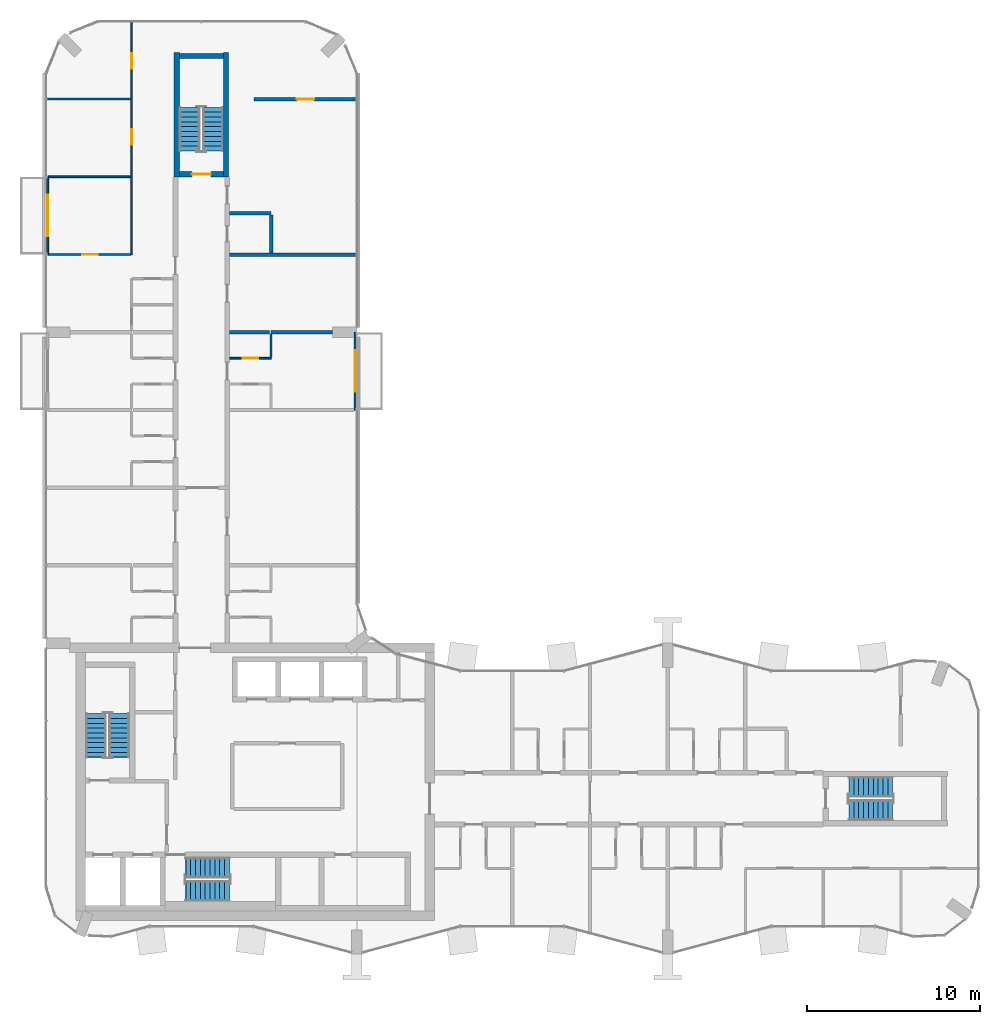
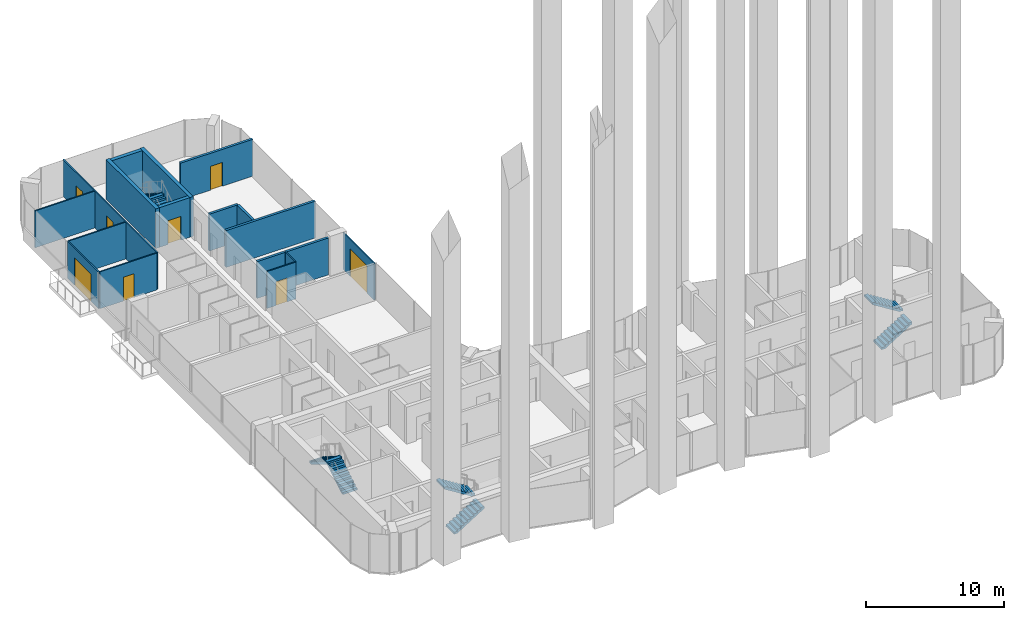
# One storey, part 13 of 17: 18 walls, 8 doors, 8 stair flights, 8 openings, 4 elements without a shape of their own.
"""IFC4 building model written with IfcOpenShell, lengths in metres."""

from ifc_helpers import new_model, si_unit, direction, frame, frame_2d, origin, place, context, subcontext, project, spatial, polyline, rectangle, outline, extrude, material, layer, layer_set, type_object, element, fill, aggregate, save


model = new_model("IFC4")

# Units and contexts
model_context = context("Model", 3, precision=1e-05, world=origin(), true_north=direction((0.0, 1.0)))
body_context = subcontext(model_context, "Body", "Model", "MODEL_VIEW")
ifc_project = project(units=[si_unit("LENGTHUNIT", "METRE"), si_unit("AREAUNIT", "SQUARE_METRE"), si_unit("VOLUMEUNIT", "CUBIC_METRE"), si_unit("PLANEANGLEUNIT", "RADIAN"), si_unit("MASSUNIT", "GRAM", prefix="KILO")], contexts=[model_context])

# Site, building, storey
site_placement = place(None, origin())
site = spatial("IfcSite", under=ifc_project, at=site_placement, CompositionType="ELEMENT")
building_placement = place(site_placement, origin())
building = spatial("IfcBuilding", under=site, at=building_placement, Name="Plateau Cross Towers", CompositionType="ELEMENT")
storey_placement = place(building_placement, frame((0.0, 0.0, 190.89990234375)))
storey = spatial("IfcBuildingStorey", under=building, at=storey_placement, Name="L49", CompositionType="ELEMENT", Elevation=190.89990234375)

# Wall, opening, door
ifc_material_1 = material(Name="Aluminium framed glazing", Category="aluminium")
ifc_layer_1 = layer(ifc_material_1, 0.10009765625)
ifc_layer_set_1 = layer_set([ifc_layer_1], Name="Aluminium framed glazing")
wall_type_1 = type_object("IfcWallType", Name="Balcony screen wall 100", PredefinedType="STANDARD", material=ifc_layer_set_1)
wall_1_placement = place(storey_placement, frame((0.10009765625, 40.5, 0.0), z_axis=(0.0, 0.0, 1.0), x_axis=(0.0, 1.0, 0.0)))
wall_1 = element("IfcWall", 1, at=wall_1_placement, inside=storey, type_object=wall_type_1, Name="Balcony screen wall A-BAL-L49-02", PredefinedType="STANDARD", context=body_context, shape_type="SweptSolid", body=[
    extrude(rectangle(XDim=4.5, YDim=0.10009765625, at=frame_2d((2.25, 0.0))), origin(), (0.0, 0.0, 1.0), 3.25),
])
opening_1_placement = place(wall_1_placement, frame((1.050048828125, 0.0, 0.0)))
opening_1 = element("IfcOpeningElement", 2, at=opening_1_placement, cuts=wall_1, Name="Opening D-B24", PredefinedType="OPENING", context=body_context, shape_type="SweptSolid", body=[
    extrude(rectangle(XDim=2.39990234375, YDim=2.39990234375, at=frame_2d((1.199951171875, 1.199951171875))), frame((0.0, 0.06005859375, 0.0), z_axis=(0.0, -1.0, 0.0), x_axis=(1.0, 0.0, 0.0)), (0.0, 0.0, 1.0), 0.1201171875),
])
ifc_material_2 = material(Name="Aluminium frame, double glazing", Category="aluminium")
door_type_1 = type_object("IfcDoorType", Name="Balcony sliding door 2400", OperationType="NOTDEFINED", PredefinedType="DOOR", material=ifc_material_2)
door_1_placement = place(opening_1_placement, origin())
door_1 = element("IfcDoor", 3, at=door_1_placement, inside=storey, type_object=door_type_1, Name="Balcony door A-BAL-L49-02", OperationType="SINGLE_SWING_LEFT", OverallHeight=2.39990234375, OverallWidth=2.39990234375, PredefinedType="DOOR", context=body_context, shape_type="SweptSolid", body=[
    extrude(rectangle(XDim=2.39990234375, YDim=2.39990234375, at=frame_2d((1.199951171875, 1.199951171875))), frame((0.0, 0.02490234375, 0.0), z_axis=(0.0, -1.0, 0.0), x_axis=(1.0, 0.0, 0.0)), (0.0, 0.0, 1.0), 0.050048828125),
])
fill(opening_1, door_1)

wall_2_placement = place(storey_placement, frame((17.89990234375, 36.0, 0.0), z_axis=(0.0, 0.0, 1.0), x_axis=(0.0, -1.0, 0.0)))
wall_2 = element("IfcWall", 4, at=wall_2_placement, inside=storey, type_object=wall_type_1, Name="Balcony screen wall A-BAL-L49-03", PredefinedType="STANDARD", context=body_context, shape_type="SweptSolid", body=[
    extrude(rectangle(XDim=4.5, YDim=0.10009765625, at=frame_2d((2.25, 0.0))), origin(), (0.0, 0.0, 1.0), 3.25),
])
opening_2_placement = place(wall_2_placement, frame((1.050048828125, 0.0, 0.0)))
opening_2 = element("IfcOpeningElement", 5, at=opening_2_placement, cuts=wall_2, Name="Opening D-B24", PredefinedType="OPENING", context=body_context, shape_type="SweptSolid", body=[
    extrude(rectangle(XDim=2.39990234375, YDim=2.39990234375, at=frame_2d((1.199951171875, 1.199951171875))), frame((0.0, 0.06005859375, 0.0), z_axis=(0.0, -1.0, 0.0), x_axis=(1.0, 0.0, 0.0)), (0.0, 0.0, 1.0), 0.1201171875),
])
door_2_placement = place(opening_2_placement, origin())
door_2 = element("IfcDoor", 6, at=door_2_placement, inside=storey, type_object=door_type_1, Name="Balcony door A-BAL-L49-03", OperationType="SINGLE_SWING_LEFT", OverallHeight=2.39990234375, OverallWidth=2.39990234375, PredefinedType="DOOR", context=body_context, shape_type="SweptSolid", body=[
    extrude(rectangle(XDim=2.39990234375, YDim=2.39990234375, at=frame_2d((1.199951171875, 1.199951171875))), frame((0.0, 0.02490234375, 0.0), z_axis=(0.0, -1.0, 0.0), x_axis=(1.0, 0.0, 0.0)), (0.0, 0.0, 1.0), 0.050048828125),
])
fill(opening_2, door_2)

ifc_material_3 = material(Name="Gypsum board on steel studs", Category="steel")
ifc_layer_2 = layer(ifc_material_3, 0.10009765625)
ifc_layer_set_2 = layer_set([ifc_layer_2], Name="Gypsum board on steel studs")
wall_type_2 = type_object("IfcWallType", Name="Flat partition 100", PredefinedType="PARTITIONING", material=ifc_layer_set_2)
wall_3_placement = place(storey_placement, frame((10.637451171875, 34.5, 0.0), z_axis=(0.0, 0.0, 1.0), x_axis=(1.0, 0.0, 0.0)))
wall_3 = element("IfcWall", 7, at=wall_3_placement, inside=storey, type_object=wall_type_2, Name="Partition wall", PredefinedType="PARTITIONING", context=body_context, shape_type="SweptSolid", body=[
    extrude(rectangle(XDim=2.400146484375, YDim=0.10009765625, at=frame_2d((1.2001953125, 0.0))), origin(), (0.0, 0.0, 1.0), 3.25),
])
opening_3_placement = place(wall_3_placement, frame((0.75, 0.0, 0.0)))
opening_3 = element("IfcOpeningElement", 8, at=opening_3_placement, cuts=wall_3, Name="Opening 49-53", PredefinedType="OPENING", context=body_context, shape_type="SweptSolid", body=[
    extrude(rectangle(XDim=0.89990234375, YDim=2.10009765625, at=frame_2d((0.449951171875, 1.050048828125))), frame((0.0, 0.06005859375, 0.0), z_axis=(0.0, -1.0, 0.0), x_axis=(1.0, 0.0, 0.0)), (0.0, 0.0, 1.0), 0.1201171875),
])
ifc_material_4 = material(Name="Timber leaf", Category="wood")
door_type_2 = type_object("IfcDoorType", Name="Flat room door 900", OperationType="NOTDEFINED", PredefinedType="DOOR", material=ifc_material_4)
door_3_placement = place(opening_3_placement, origin())
door_3 = element("IfcDoor", 9, at=door_3_placement, inside=storey, type_object=door_type_2, Name="Door 49-53", OperationType="SINGLE_SWING_LEFT", OverallHeight=2.10009765625, OverallWidth=0.89990234375, PredefinedType="DOOR", context=body_context, shape_type="SweptSolid", body=[
    extrude(rectangle(XDim=0.89990234375, YDim=2.10009765625, at=frame_2d((0.449951171875, 1.050048828125))), frame((0.0, 0.02490234375, 0.0), z_axis=(0.0, -1.0, 0.0), x_axis=(1.0, 0.0, 0.0)), (0.0, 0.0, 1.0), 0.050048828125),
])
fill(opening_3, door_3)

wall_4_placement = place(storey_placement, frame((0.14990234375, 40.5, 0.0), z_axis=(0.0, 0.0, 1.0), x_axis=(1.0, 0.0, 0.0)))
wall_4 = element("IfcWall", 10, at=wall_4_placement, inside=storey, type_object=wall_type_2, Name="Partition wall", PredefinedType="PARTITIONING", context=body_context, shape_type="SweptSolid", body=[
    extrude(rectangle(XDim=4.7626953125, YDim=0.10009765625, at=frame_2d((2.38134765625, 0.0))), origin(), (0.0, 0.0, 1.0), 3.25),
])
opening_4_placement = place(wall_4_placement, frame((1.949951171875, 0.0, 0.0)))
opening_4 = element("IfcOpeningElement", 11, at=opening_4_placement, cuts=wall_4, Name="Opening 49-47", PredefinedType="OPENING", context=body_context, shape_type="SweptSolid", body=[
    extrude(rectangle(XDim=0.89990234375, YDim=2.10009765625, at=frame_2d((0.449951171875, 1.050048828125))), frame((0.0, 0.06005859375, 0.0), z_axis=(0.0, -1.0, 0.0), x_axis=(1.0, 0.0, 0.0)), (0.0, 0.0, 1.0), 0.1201171875),
])
door_4_placement = place(opening_4_placement, origin())
door_4 = element("IfcDoor", 12, at=door_4_placement, inside=storey, type_object=door_type_2, Name="Door 49-47", OperationType="SINGLE_SWING_RIGHT", OverallHeight=2.10009765625, OverallWidth=0.89990234375, PredefinedType="DOOR", context=body_context, shape_type="SweptSolid", body=[
    extrude(rectangle(XDim=0.89990234375, YDim=2.10009765625, at=frame_2d((0.449951171875, 1.050048828125))), frame((0.0, 0.02490234375, 0.0), z_axis=(0.0, -1.0, 0.0), x_axis=(1.0, 0.0, 0.0)), (0.0, 0.0, 1.0), 0.050048828125),
])
fill(opening_4, door_4)

# Walls
wall_5_placement = place(storey_placement, frame((4.91259765625, 45.0, 0.0), z_axis=(0.0, 0.0, 1.0), x_axis=(-1.0, 0.0, 0.0)))
element("IfcWall", 13, at=wall_5_placement, inside=storey, type_object=wall_type_2, Name="Partition wall", PredefinedType="PARTITIONING", context=body_context, shape_type="SweptSolid", body=[
    extrude(rectangle(XDim=4.7626953125, YDim=0.10009765625, at=frame_2d((2.38134765625, 0.0))), origin(), (0.0, 0.0, 1.0), 3.25),
])
wall_6_placement = place(storey_placement, frame((4.91259765625, 49.5, 0.0), z_axis=(0.0, 0.0, 1.0), x_axis=(-1.0, 0.0, 0.0)))
element("IfcWall", 14, at=wall_6_placement, inside=storey, type_object=wall_type_2, Name="Partition wall", PredefinedType="PARTITIONING", context=body_context, shape_type="SweptSolid", body=[
    extrude(rectangle(XDim=4.99267578125, YDim=0.10009765625, at=frame_2d((2.496337890625, 0.0))), origin(), (0.0, 0.0, 1.0), 3.25),
])

# Wall, openings, doors
wall_7_placement = place(storey_placement, frame((4.96240234375, 40.5, 0.0), z_axis=(0.0, 0.0, 1.0), x_axis=(0.0, 1.0, 0.0)))
wall_7 = element("IfcWall", 15, at=wall_7_placement, inside=storey, type_object=wall_type_2, Name="Partition wall", PredefinedType="PARTITIONING", context=body_context, shape_type="SweptSolid", body=[
    extrude(rectangle(XDim=13.580078125, YDim=0.10009765625, at=frame_2d((6.7900390625, 0.0))), origin(), (0.0, 0.0, 1.0), 3.25),
])
opening_5_placement = place(wall_7_placement, frame((6.35009765625, 0.0, 0.0)))
opening_5 = element("IfcOpeningElement", 16, at=opening_5_placement, cuts=wall_7, Name="Opening 49-48", PredefinedType="OPENING", context=body_context, shape_type="SweptSolid", body=[
    extrude(rectangle(XDim=0.89990234375, YDim=2.10009765625, at=frame_2d((0.449951171875, 1.050048828125))), frame((0.0, 0.06005859375, 0.0), z_axis=(0.0, -1.0, 0.0), x_axis=(1.0, 0.0, 0.0)), (0.0, 0.0, 1.0), 0.1201171875),
])
opening_6_placement = place(wall_7_placement, frame((10.75, 0.0, 0.0)))
opening_6 = element("IfcOpeningElement", 17, at=opening_6_placement, cuts=wall_7, Name="Opening 49-49", PredefinedType="OPENING", context=body_context, shape_type="SweptSolid", body=[
    extrude(rectangle(XDim=0.89990234375, YDim=2.10009765625, at=frame_2d((0.449951171875, 1.050048828125))), frame((0.0, 0.06005859375, 0.0), z_axis=(0.0, -1.0, 0.0), x_axis=(1.0, 0.0, 0.0)), (0.0, 0.0, 1.0), 0.1201171875),
])
door_5_placement = place(opening_5_placement, origin())
door_5 = element("IfcDoor", 18, at=door_5_placement, inside=storey, type_object=door_type_2, Name="Door 49-48", OperationType="SINGLE_SWING_RIGHT", OverallHeight=2.10009765625, OverallWidth=0.89990234375, PredefinedType="DOOR", context=body_context, shape_type="SweptSolid", body=[
    extrude(rectangle(XDim=0.89990234375, YDim=2.10009765625, at=frame_2d((0.449951171875, 1.050048828125))), frame((0.0, 0.02490234375, 0.0), z_axis=(0.0, -1.0, 0.0), x_axis=(1.0, 0.0, 0.0)), (0.0, 0.0, 1.0), 0.050048828125),
])
fill(opening_5, door_5)
door_6_placement = place(opening_6_placement, origin())
door_6 = element("IfcDoor", 19, at=door_6_placement, inside=storey, type_object=door_type_2, Name="Door 49-49", OperationType="SINGLE_SWING_RIGHT", OverallHeight=2.10009765625, OverallWidth=0.89990234375, PredefinedType="DOOR", context=body_context, shape_type="SweptSolid", body=[
    extrude(rectangle(XDim=0.89990234375, YDim=2.10009765625, at=frame_2d((0.449951171875, 1.050048828125))), frame((0.0, 0.02490234375, 0.0), z_axis=(0.0, -1.0, 0.0), x_axis=(1.0, 0.0, 0.0)), (0.0, 0.0, 1.0), 0.050048828125),
])
fill(opening_6, door_6)

# Walls
wall_8_placement = place(storey_placement, frame((13.03759765625, 34.550048828125, 0.0), z_axis=(0.0, 0.0, 1.0), x_axis=(0.0, 1.0, 0.0)))
element("IfcWall", 20, at=wall_8_placement, inside=storey, type_object=wall_type_2, Name="Partition wall", PredefinedType="PARTITIONING", context=body_context, shape_type="SweptSolid", body=[
    extrude(rectangle(XDim=1.349853515625, YDim=0.10009765625, at=frame_2d((0.6748046875, 0.0))), origin(), (0.0, 0.0, 1.0), 3.25),
])
ifc_material_5 = material(Name="Gypsum board on steel studs, two layers each side", Category="steel")
ifc_layer_3 = layer(ifc_material_5, 0.199951171875)
ifc_layer_set_3 = layer_set([ifc_layer_3], Name="Gypsum board on steel studs, two layers each side")
wall_type_3 = type_object("IfcWallType", Name="Flat party wall 200", PredefinedType="PARTITIONING", material=ifc_layer_set_3)
wall_9_placement = place(storey_placement, frame((12.9375, 36.0, 0.0), z_axis=(0.0, 0.0, 1.0), x_axis=(-1.0, 0.0, 0.0)))
element("IfcWall", 21, at=wall_9_placement, inside=storey, type_object=wall_type_3, Name="Party wall", PredefinedType="PARTITIONING", context=body_context, shape_type="SweptSolid", body=[
    extrude(rectangle(XDim=2.300048828125, YDim=0.199951171875, at=frame_2d((1.14990234375, 0.0))), origin(), (0.0, 0.0, 1.0), 3.25),
])
wall_10_placement = place(storey_placement, frame((13.03759765625, 36.0, 0.0), z_axis=(0.0, 0.0, 1.0), x_axis=(1.0, 0.0, 0.0)))
element("IfcWall", 22, at=wall_10_placement, inside=storey, type_object=wall_type_3, Name="Party wall", PredefinedType="PARTITIONING", context=body_context, shape_type="SweptSolid", body=[
    extrude(rectangle(XDim=3.5625, YDim=0.199951171875, at=frame_2d((1.78125, 0.0))), origin(), (0.0, 0.0, 1.0), 3.25),
])
wall_11_placement = place(storey_placement, frame((18.080078125, 40.5, 0.0), z_axis=(0.0, 0.0, 1.0), x_axis=(-1.0, 0.0, 0.0)))
element("IfcWall", 23, at=wall_11_placement, inside=storey, type_object=wall_type_3, Name="Party wall", PredefinedType="PARTITIONING", context=body_context, shape_type="SweptSolid", body=[
    extrude(rectangle(XDim=7.442626953125, YDim=0.199951171875, at=frame_2d((3.72119140625, 0.0))), origin(), (0.0, 0.0, 1.0), 3.25),
])
wall_12_placement = place(storey_placement, frame((13.03759765625, 42.89990234375, 0.0), z_axis=(0.0, 0.0, 1.0), x_axis=(-1.0, 0.0, 0.0)))
element("IfcWall", 24, at=wall_12_placement, inside=storey, type_object=wall_type_3, Name="Party wall", PredefinedType="PARTITIONING", context=body_context, shape_type="SweptSolid", body=[
    extrude(rectangle(XDim=2.400146484375, YDim=0.199951171875, at=frame_2d((1.2001953125, 0.0))), origin(), (0.0, 0.0, 1.0), 3.25),
])

# Wall, opening, door
wall_13_placement = place(storey_placement, frame((18.080078125, 49.5, 0.0), z_axis=(0.0, 0.0, 1.0), x_axis=(-1.0, 0.0, 0.0)))
wall_13 = element("IfcWall", 25, at=wall_13_placement, inside=storey, type_object=wall_type_3, Name="Party wall", PredefinedType="PARTITIONING", context=body_context, shape_type="SweptSolid", body=[
    extrude(rectangle(XDim=6.030029296875, YDim=0.199951171875, at=frame_2d((3.01513671875, 0.0))), origin(), (0.0, 0.0, 1.0), 3.25),
])
opening_7_placement = place(wall_13_placement, frame((2.550048828125, 0.0, 0.0)))
opening_7 = element("IfcOpeningElement", 26, at=opening_7_placement, cuts=wall_13, Name="Opening 49-25", PredefinedType="OPENING", context=body_context, shape_type="SweptSolid", body=[
    extrude(rectangle(XDim=1.0, YDim=2.10009765625, at=frame_2d((0.5, 1.050048828125))), frame((0.0, 0.10986328125, 0.0), z_axis=(0.0, -1.0, 0.0), x_axis=(1.0, 0.0, 0.0)), (0.0, 0.0, 1.0), 0.219970703125),
])
ifc_material_6 = material(Name="Timber, fire-resisting leaf", Category="wood")
door_type_3 = type_object("IfcDoorType", Name="Flat entrance door 1000", OperationType="NOTDEFINED", PredefinedType="DOOR", material=ifc_material_6)
door_7_placement = place(opening_7_placement, origin())
door_7 = element("IfcDoor", 27, at=door_7_placement, inside=storey, type_object=door_type_3, Name="Door 49-25", OperationType="SINGLE_SWING_RIGHT", OverallHeight=2.10009765625, OverallWidth=1.0, PredefinedType="DOOR", context=body_context, shape_type="SweptSolid", body=[
    extrude(rectangle(XDim=1.0, YDim=2.10009765625, at=frame_2d((0.5, 1.050048828125))), frame((0.0, 0.02490234375, 0.0), z_axis=(0.0, -1.0, 0.0), x_axis=(1.0, 0.0, 0.0)), (0.0, 0.0, 1.0), 0.050048828125),
])
fill(opening_7, door_7)

# Wall
wall_14_placement = place(storey_placement, frame((13.03759765625, 40.60009765625, 0.0), z_axis=(0.0, 0.0, 1.0), x_axis=(0.0, 1.0, 0.0)))
element("IfcWall", 28, at=wall_14_placement, inside=storey, type_object=wall_type_3, Name="Party wall", PredefinedType="PARTITIONING", context=body_context, shape_type="SweptSolid", body=[
    extrude(rectangle(XDim=2.199951171875, YDim=0.199951171875, at=frame_2d((1.10009765625, 0.0))), origin(), (0.0, 0.0, 1.0), 3.25),
])

# Wall, opening, door
ifc_material_7 = material(Name="Concrete C60/75", Category="concrete")
ifc_layer_4 = layer(ifc_material_7, 0.300048828125)
ifc_layer_set_4 = layer_set([ifc_layer_4], Name="Concrete C60/75")
wall_type_4 = type_object("IfcWallType", Name="Stair tower wall 300", PredefinedType="SHEAR", material=ifc_layer_set_4)
wall_15_placement = place(storey_placement, frame((7.72509765625, 45.14990234375, 0.0), z_axis=(0.0, 0.0, 1.0), x_axis=(1.0, 0.0, 0.0)))
wall_15 = element("IfcWall", 29, at=wall_15_placement, inside=storey, type_object=wall_type_4, Name="A-end-N-S@L49", PredefinedType="SHEAR", context=body_context, shape_type="SweptSolid", body=[
    extrude(rectangle(XDim=2.5498046875, YDim=0.300048828125, at=frame_2d((1.27490234375, 0.0))), origin(), (0.0, 0.0, 1.0), 3.5),
])
opening_8_placement = place(wall_15_placement, frame((0.72509765625, 0.0, 0.0)))
opening_8 = element("IfcOpeningElement", 30, at=opening_8_placement, cuts=wall_15, Name="Opening SD", PredefinedType="OPENING", context=body_context, shape_type="SweptSolid", body=[
    extrude(rectangle(XDim=1.10009765625, YDim=2.10009765625, at=frame_2d((0.550048828125, 1.050048828125))), frame((0.0, 0.159912109375, 0.0), z_axis=(0.0, -1.0, 0.0), x_axis=(1.0, 0.0, 0.0)), (0.0, 0.0, 1.0), 0.320068359375),
])
ifc_material_8 = material(Name="Steel, fire-resisting leaf", Category="steel")
door_type_4 = type_object("IfcDoorType", Name="Stair door 1100", OperationType="NOTDEFINED", PredefinedType="DOOR", material=ifc_material_8)
door_8_placement = place(opening_8_placement, origin())
door_8 = element("IfcDoor", 31, at=door_8_placement, inside=storey, type_object=door_type_4, Name="Stair door SD", OperationType="SINGLE_SWING_LEFT", OverallHeight=2.10009765625, OverallWidth=1.10009765625, PredefinedType="DOOR", context=body_context, shape_type="SweptSolid", body=[
    extrude(rectangle(XDim=1.10009765625, YDim=2.10009765625, at=frame_2d((0.550048828125, 1.050048828125))), frame((0.0, 0.02490234375, 0.0), z_axis=(0.0, -1.0, 0.0), x_axis=(1.0, 0.0, 0.0)), (0.0, 0.0, 1.0), 0.050048828125),
])
fill(opening_8, door_8)

# Walls
wall_16_placement = place(storey_placement, frame((7.72509765625, 52.0, 0.0), z_axis=(0.0, 0.0, 1.0), x_axis=(1.0, 0.0, 0.0)))
element("IfcWall", 32, at=wall_16_placement, inside=storey, type_object=wall_type_4, Name="A-end-N-N@L49", PredefinedType="SHEAR", context=body_context, shape_type="SweptSolid", body=[
    extrude(rectangle(XDim=2.5498046875, YDim=0.300048828125, at=frame_2d((1.27490234375, 0.0))), origin(), (0.0, 0.0, 1.0), 3.5),
])
for number, where, z_axis, x_axis, name in (
    (33, (7.574951171875, 45.0, 0.0), (0.0, 0.0, 1.0), (0.0, 1.0, 0.0), "A-end-N-W@L49"),
    (34, (10.425048828125, 45.0, 0.0), (0.0, 0.0, 1.0), (0.0, 1.0, 0.0), "A-end-N-E@L49"),
):
    element("IfcWall", number, at=place(storey_placement, frame(where, z_axis=z_axis, x_axis=x_axis)), inside=storey, type_object=wall_type_4, Name=name, PredefinedType="SHEAR", context=body_context, shape_type="SweptSolid", body=[
        extrude(rectangle(XDim=7.199951171875, YDim=0.300048828125, at=frame_2d((3.60009765625, 0.0))), origin(), (0.0, 0.0, 1.0), 3.5),
    ])

# Stair, stair flights
ifc_material_9 = material(Name="Concrete C40/50", Category="concrete")
stair_type = type_object("IfcStairType", Name="ST-TWR", PredefinedType="HALF_TURN_STAIR", material=ifc_material_9)
stair_1_placement = place(storey_placement, origin())
stair_1 = element("IfcStair", 35, at=stair_1_placement, inside=storey, type_object=stair_type, Name="L49 Protected Exit Stair ST-1", PredefinedType="HALF_TURN_STAIR")
stair_flight_type = type_object("IfcStairFlightType", Name="SFL-RC", PredefinedType="STRAIGHT", material=ifc_material_9)
stair_flight_1_placement = place(storey_placement, frame((4.25, 11.39990234375, 0.0), z_axis=(0.0, 0.0, 1.0), x_axis=(0.0, 1.0, 0.0)))
stair_flight_1 = element("IfcStairFlight", 36, at=stair_flight_1_placement, type_object=stair_flight_type, Name="ST-1 flight 1", NumberOfRisers=10, NumberOfTreads=9, PredefinedType="STRAIGHT", RiserHeight=0.175, TreadLength=0.28, context=body_context, shape_type="SweptSolid", body=[
    extrude(outline(polyline([(-0.0048828125, -0.010009765625), (-0.0048828125, 0.0), (0.0, 0.0), (0.0, 0.175048828125), (0.280029296875, 0.175048828125), (0.280029296875, 0.35009765625), (0.56005859375, 0.35009765625), (0.56005859375, 0.52490234375), (0.840087890625, 0.52490234375), (0.840087890625, 0.699951171875), (1.1201171875, 0.699951171875), (1.1201171875, 0.875), (1.39990234375, 0.875), (1.39990234375, 1.050048828125), (1.679931640625, 1.050048828125), (1.679931640625, 1.22509765625), (1.9599609375, 1.22509765625), (1.9599609375, 1.39990234375), (2.239990234375, 1.39990234375), (2.239990234375, 1.574951171875), (2.52001953125, 1.574951171875), (2.52490234375, 1.56494140625), (2.52490234375, 1.398193359375), (2.52001953125, 1.398193359375), (0.28271484375, 0.0), (0.02001953125, 0.0), (0.02001953125, -0.010009765625), (-0.0048828125, -0.010009765625)])), frame((0.0, 0.60009765625, 0.0), z_axis=(0.0, -1.0, 0.0), x_axis=(1.0, 0.0, 0.0)), (0.0, 0.0, 1.0), 1.199951171875),
])
stair_flight_2_placement = place(storey_placement, frame((2.89990234375, 13.919921875, 1.75), z_axis=(0.0, 0.0, 1.0), x_axis=(0.0, -1.0, 0.0)))
stair_flight_2 = element("IfcStairFlight", 37, at=stair_flight_2_placement, type_object=stair_flight_type, Name="ST-1 flight 2", NumberOfRisers=10, NumberOfTreads=9, PredefinedType="STRAIGHT", RiserHeight=0.175, TreadLength=0.28, context=body_context, shape_type="SweptSolid", body=[
    extrude(outline(polyline([(-0.0048828125, -0.010009765625), (-0.0048828125, 0.0), (0.0, 0.0), (0.0, 0.175048828125), (0.280029296875, 0.175048828125), (0.280029296875, 0.35009765625), (0.56005859375, 0.35009765625), (0.56005859375, 0.52490234375), (0.840087890625, 0.52490234375), (0.840087890625, 0.699951171875), (1.1201171875, 0.699951171875), (1.1201171875, 0.875), (1.39990234375, 0.875), (1.39990234375, 1.050048828125), (1.679931640625, 1.050048828125), (1.679931640625, 1.22509765625), (1.9599609375, 1.22509765625), (1.9599609375, 1.39990234375), (2.239990234375, 1.39990234375), (2.239990234375, 1.574951171875), (2.52001953125, 1.574951171875), (2.52490234375, 1.56494140625), (2.52490234375, 1.398193359375), (2.52001953125, 1.398193359375), (0.28271484375, 0.0), (0.02001953125, 0.0), (0.02001953125, -0.010009765625), (-0.0048828125, -0.010009765625)])), frame((0.0, 0.60009765625, 0.0), z_axis=(0.0, -1.0, 0.0), x_axis=(1.0, 0.0, 0.0)), (0.0, 0.0, 1.0), 1.199951171875),
])
aggregate(stair_1, [stair_flight_1, stair_flight_2])

stair_2_placement = place(storey_placement, origin())
stair_2 = element("IfcStair", 38, at=stair_2_placement, inside=storey, type_object=stair_type, Name="L49 Protected Exit Stair ST-2", PredefinedType="HALF_TURN_STAIR")
stair_flight_3_placement = place(storey_placement, frame((8.10009765625, 3.64990234375, 0.0), z_axis=(0.0, 0.0, 1.0), x_axis=(1.0, 0.0, 0.0)))
stair_flight_3 = element("IfcStairFlight", 39, at=stair_flight_3_placement, type_object=stair_flight_type, Name="ST-2 flight 1", NumberOfRisers=10, NumberOfTreads=9, PredefinedType="STRAIGHT", RiserHeight=0.175, TreadLength=0.28, context=body_context, shape_type="SweptSolid", body=[
    extrude(outline(polyline([(-0.0048828125, -0.010009765625), (-0.0048828125, 0.0), (0.0, 0.0), (0.0, 0.175048828125), (0.280029296875, 0.175048828125), (0.280029296875, 0.35009765625), (0.56005859375, 0.35009765625), (0.56005859375, 0.52490234375), (0.840087890625, 0.52490234375), (0.840087890625, 0.699951171875), (1.1201171875, 0.699951171875), (1.1201171875, 0.875), (1.39990234375, 0.875), (1.39990234375, 1.050048828125), (1.679931640625, 1.050048828125), (1.679931640625, 1.22509765625), (1.9599609375, 1.22509765625), (1.9599609375, 1.39990234375), (2.239990234375, 1.39990234375), (2.239990234375, 1.574951171875), (2.52001953125, 1.574951171875), (2.52490234375, 1.56494140625), (2.52490234375, 1.398193359375), (2.52001953125, 1.398193359375), (0.28271484375, 0.0), (0.02001953125, 0.0), (0.02001953125, -0.010009765625), (-0.0048828125, -0.010009765625)])), frame((0.0, 0.60009765625, 0.0), z_axis=(0.0, -1.0, 0.0), x_axis=(1.0, 0.0, 0.0)), (0.0, 0.0, 1.0), 1.199951171875),
])
stair_flight_4_placement = place(storey_placement, frame((10.6201171875, 5.0, 1.75), z_axis=(0.0, 0.0, 1.0), x_axis=(-1.0, 0.0, 0.0)))
stair_flight_4 = element("IfcStairFlight", 40, at=stair_flight_4_placement, type_object=stair_flight_type, Name="ST-2 flight 2", NumberOfRisers=10, NumberOfTreads=9, PredefinedType="STRAIGHT", RiserHeight=0.175, TreadLength=0.28, context=body_context, shape_type="SweptSolid", body=[
    extrude(outline(polyline([(-0.0048828125, -0.010009765625), (-0.0048828125, 0.0), (0.0, 0.0), (0.0, 0.175048828125), (0.280029296875, 0.175048828125), (0.280029296875, 0.35009765625), (0.56005859375, 0.35009765625), (0.56005859375, 0.52490234375), (0.840087890625, 0.52490234375), (0.840087890625, 0.699951171875), (1.1201171875, 0.699951171875), (1.1201171875, 0.875), (1.39990234375, 0.875), (1.39990234375, 1.050048828125), (1.679931640625, 1.050048828125), (1.679931640625, 1.22509765625), (1.9599609375, 1.22509765625), (1.9599609375, 1.39990234375), (2.239990234375, 1.39990234375), (2.239990234375, 1.574951171875), (2.52001953125, 1.574951171875), (2.52490234375, 1.56494140625), (2.52490234375, 1.398193359375), (2.52001953125, 1.398193359375), (0.28271484375, 0.0), (0.02001953125, 0.0), (0.02001953125, -0.010009765625), (-0.0048828125, -0.010009765625)])), frame((0.0, 0.60009765625, 0.0), z_axis=(0.0, -1.0, 0.0), x_axis=(1.0, 0.0, 0.0)), (0.0, 0.0, 1.0), 1.199951171875),
])
aggregate(stair_2, [stair_flight_3, stair_flight_4])

stair_3_placement = place(storey_placement, origin())
stair_3 = element("IfcStair", 41, at=stair_3_placement, inside=storey, type_object=stair_type, Name="L49 Protected Exit Stair E", PredefinedType="HALF_TURN_STAIR")
stair_flight_5_placement = place(storey_placement, frame((46.5, 8.324951171875, 0.0), z_axis=(0.0, 0.0, 1.0), x_axis=(1.0, 0.0, 0.0)))
stair_flight_5 = element("IfcStairFlight", 42, at=stair_flight_5_placement, type_object=stair_flight_type, Name="ES-E flight 1", NumberOfRisers=10, NumberOfTreads=9, PredefinedType="STRAIGHT", RiserHeight=0.175, TreadLength=0.28, context=body_context, shape_type="SweptSolid", body=[
    extrude(outline(polyline([(-0.0048828125, -0.010009765625), (-0.0048828125, 0.0), (0.0, 0.0), (0.0, 0.175048828125), (0.280029296875, 0.175048828125), (0.280029296875, 0.35009765625), (0.56005859375, 0.35009765625), (0.56005859375, 0.52490234375), (0.840087890625, 0.52490234375), (0.840087890625, 0.699951171875), (1.1201171875, 0.699951171875), (1.1201171875, 0.875), (1.39990234375, 0.875), (1.39990234375, 1.050048828125), (1.679931640625, 1.050048828125), (1.679931640625, 1.22509765625), (1.9599609375, 1.22509765625), (1.9599609375, 1.39990234375), (2.239990234375, 1.39990234375), (2.239990234375, 1.574951171875), (2.52001953125, 1.574951171875), (2.52490234375, 1.56494140625), (2.52490234375, 1.398193359375), (2.52001953125, 1.398193359375), (0.28271484375, 0.0), (0.02001953125, 0.0), (0.02001953125, -0.010009765625), (-0.0048828125, -0.010009765625)])), frame((0.0, 0.60009765625, 0.0), z_axis=(0.0, -1.0, 0.0), x_axis=(1.0, 0.0, 0.0)), (0.0, 0.0, 1.0), 1.199951171875),
])
stair_flight_6_placement = place(storey_placement, frame((49.02001953125, 9.675048828125, 1.75), z_axis=(0.0, 0.0, 1.0), x_axis=(-1.0, 0.0, 0.0)))
stair_flight_6 = element("IfcStairFlight", 43, at=stair_flight_6_placement, type_object=stair_flight_type, Name="ES-E flight 2", NumberOfRisers=10, NumberOfTreads=9, PredefinedType="STRAIGHT", RiserHeight=0.175, TreadLength=0.28, context=body_context, shape_type="SweptSolid", body=[
    extrude(outline(polyline([(-0.0048828125, -0.010009765625), (-0.0048828125, 0.0), (0.0, 0.0), (0.0, 0.175048828125), (0.280029296875, 0.175048828125), (0.280029296875, 0.35009765625), (0.56005859375, 0.35009765625), (0.56005859375, 0.52490234375), (0.840087890625, 0.52490234375), (0.840087890625, 0.699951171875), (1.1201171875, 0.699951171875), (1.1201171875, 0.875), (1.39990234375, 0.875), (1.39990234375, 1.050048828125), (1.679931640625, 1.050048828125), (1.679931640625, 1.22509765625), (1.9599609375, 1.22509765625), (1.9599609375, 1.39990234375), (2.239990234375, 1.39990234375), (2.239990234375, 1.574951171875), (2.52001953125, 1.574951171875), (2.52490234375, 1.56494140625), (2.52490234375, 1.398193359375), (2.52001953125, 1.398193359375), (0.28271484375, 0.0), (0.02001953125, 0.0), (0.02001953125, -0.010009765625), (-0.0048828125, -0.010009765625)])), frame((0.0, 0.60009765625, 0.0), z_axis=(0.0, -1.0, 0.0), x_axis=(1.0, 0.0, 0.0)), (0.0, 0.0, 1.0), 1.199951171875),
])
aggregate(stair_3, [stair_flight_5, stair_flight_6])

stair_4_placement = place(storey_placement, origin())
stair_4 = element("IfcStair", 44, at=stair_4_placement, inside=storey, type_object=stair_type, Name="L49 Protected Exit Stair N", PredefinedType="HALF_TURN_STAIR")
stair_flight_7_placement = place(storey_placement, frame((9.675048828125, 46.5, 0.0), z_axis=(0.0, 0.0, 1.0), x_axis=(0.0, 1.0, 0.0)))
stair_flight_7 = element("IfcStairFlight", 45, at=stair_flight_7_placement, type_object=stair_flight_type, Name="ES-N flight 1", NumberOfRisers=10, NumberOfTreads=9, PredefinedType="STRAIGHT", RiserHeight=0.175, TreadLength=0.28, context=body_context, shape_type="SweptSolid", body=[
    extrude(outline(polyline([(-0.0048828125, -0.010009765625), (-0.0048828125, 0.0), (0.0, 0.0), (0.0, 0.175048828125), (0.280029296875, 0.175048828125), (0.280029296875, 0.35009765625), (0.56005859375, 0.35009765625), (0.56005859375, 0.52490234375), (0.840087890625, 0.52490234375), (0.840087890625, 0.699951171875), (1.1201171875, 0.699951171875), (1.1201171875, 0.875), (1.39990234375, 0.875), (1.39990234375, 1.050048828125), (1.679931640625, 1.050048828125), (1.679931640625, 1.22509765625), (1.9599609375, 1.22509765625), (1.9599609375, 1.39990234375), (2.239990234375, 1.39990234375), (2.239990234375, 1.574951171875), (2.52001953125, 1.574951171875), (2.52490234375, 1.56494140625), (2.52490234375, 1.398193359375), (2.52001953125, 1.398193359375), (0.28271484375, 0.0), (0.02001953125, 0.0), (0.02001953125, -0.010009765625), (-0.0048828125, -0.010009765625)])), frame((0.0, 0.60009765625, 0.0), z_axis=(0.0, -1.0, 0.0), x_axis=(1.0, 0.0, 0.0)), (0.0, 0.0, 1.0), 1.199951171875),
])
stair_flight_8_placement = place(storey_placement, frame((8.324951171875, 49.02001953125, 1.75), z_axis=(0.0, 0.0, 1.0), x_axis=(0.0, -1.0, 0.0)))
stair_flight_8 = element("IfcStairFlight", 46, at=stair_flight_8_placement, type_object=stair_flight_type, Name="ES-N flight 2", NumberOfRisers=10, NumberOfTreads=9, PredefinedType="STRAIGHT", RiserHeight=0.175, TreadLength=0.28, context=body_context, shape_type="SweptSolid", body=[
    extrude(outline(polyline([(-0.0048828125, -0.010009765625), (-0.0048828125, 0.0), (0.0, 0.0), (0.0, 0.175048828125), (0.280029296875, 0.175048828125), (0.280029296875, 0.35009765625), (0.56005859375, 0.35009765625), (0.56005859375, 0.52490234375), (0.840087890625, 0.52490234375), (0.840087890625, 0.699951171875), (1.1201171875, 0.699951171875), (1.1201171875, 0.875), (1.39990234375, 0.875), (1.39990234375, 1.050048828125), (1.679931640625, 1.050048828125), (1.679931640625, 1.22509765625), (1.9599609375, 1.22509765625), (1.9599609375, 1.39990234375), (2.239990234375, 1.39990234375), (2.239990234375, 1.574951171875), (2.52001953125, 1.574951171875), (2.52490234375, 1.56494140625), (2.52490234375, 1.398193359375), (2.52001953125, 1.398193359375), (0.28271484375, 0.0), (0.02001953125, 0.0), (0.02001953125, -0.010009765625), (-0.0048828125, -0.010009765625)])), frame((0.0, 0.60009765625, 0.0), z_axis=(0.0, -1.0, 0.0), x_axis=(1.0, 0.0, 0.0)), (0.0, 0.0, 1.0), 1.199951171875),
])
aggregate(stair_4, [stair_flight_7, stair_flight_8])

save(model, "model.ifc")
